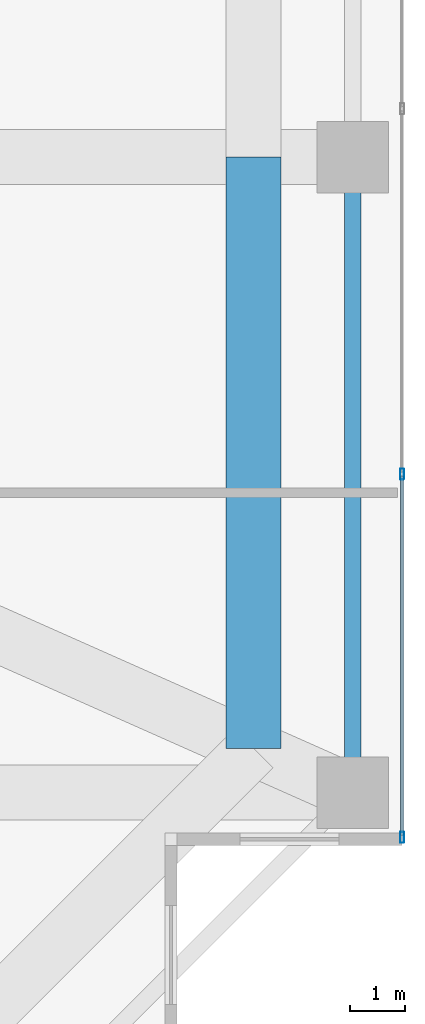
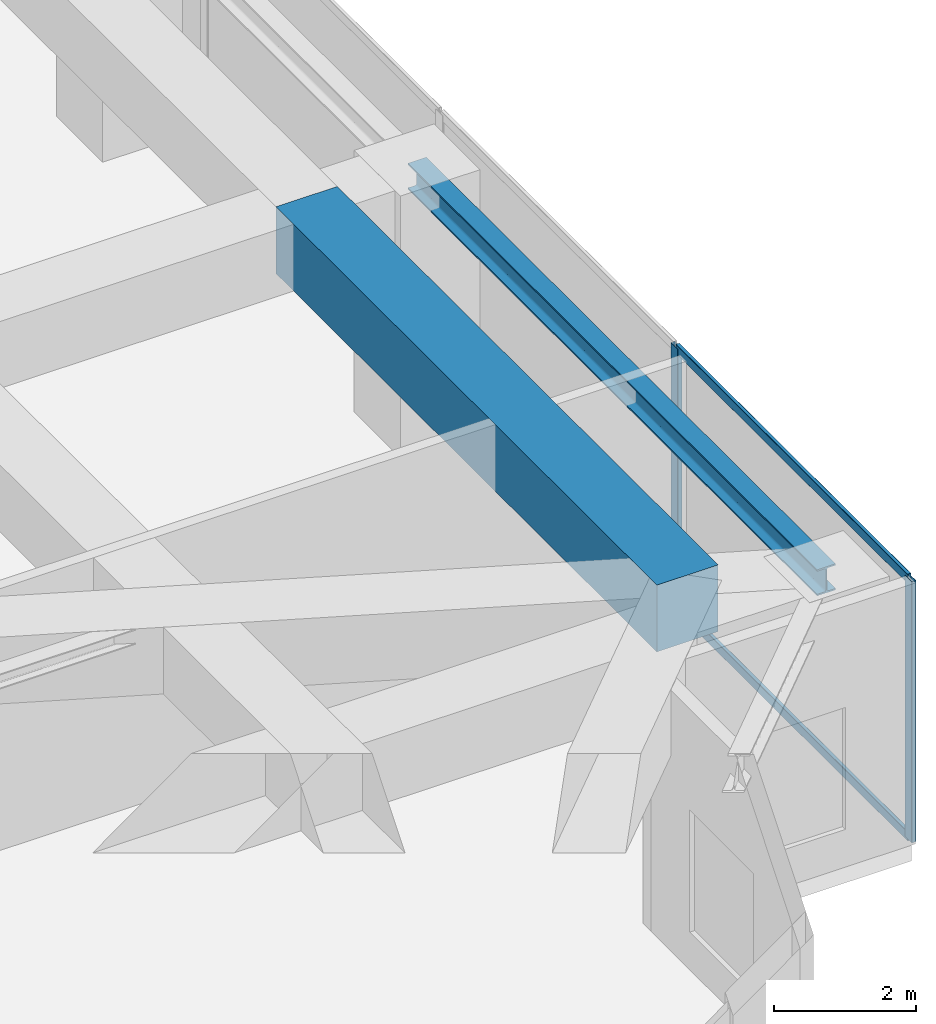
# One storey, part 15 of 35: 4 members, 2 beams, 1 element without a shape of its own.
"""IFC4 building model written with IfcOpenShell, lengths in metres."""

from ifc_helpers import new_model, si_unit, direction, frame, origin, origin_2d, place, context, subcontext, project, spatial, rectangle, hollow_rectangle, i_section, extrude, source, transform, mapped, material, layer, layer_set, material_profile, profile_set, type_object, element, aggregate, save


model = new_model("IFC4")

# Units and contexts
model_context = context("Model", 3, precision=1e-05, world=origin(), true_north=direction((0.0, 1.0)))
body_context = subcontext(model_context, "Body", "Model", "MODEL_VIEW")
ifc_project = project(units=[si_unit("LENGTHUNIT", "METRE"), si_unit("AREAUNIT", "SQUARE_METRE"), si_unit("VOLUMEUNIT", "CUBIC_METRE"), si_unit("PLANEANGLEUNIT", "RADIAN"), si_unit("MASSUNIT", "GRAM", prefix="KILO")], contexts=[model_context])

# Site, building, storey
site_placement = place(None, origin())
site = spatial("IfcSite", under=ifc_project, at=site_placement, CompositionType="ELEMENT")
building_placement = place(site_placement, origin())
building = spatial("IfcBuilding", under=site, at=building_placement, Name="Serunith Strait Residences", CompositionType="ELEMENT")
storey_placement = place(building_placement, frame((0.0, 0.0, 115.199951171875)))
storey = spatial("IfcBuildingStorey", under=building, at=storey_placement, Name="L28", CompositionType="ELEMENT", Elevation=115.199951171875)

# Beams
ifc_material_1 = material(Name="Steel S355J2", Category="steel")
ifc_material_profile_1 = material_profile(ifc_material_1, i_section(OverallWidth=0.300048828125, OverallDepth=0.449951171875, WebThickness=0.013916015625, FlangeThickness=0.02587890625, FilletRadius=0.027099609375, at=origin_2d()), Name="HEB 450")
ifc_profile_set_1 = profile_set([ifc_material_profile_1], Name="Steel S355J2")
beam_type_1 = type_object("IfcBeamType", Name="BM-HEB450", PredefinedType="BEAM", material=ifc_profile_set_1)
shared_shape_1 = source(origin(), body_context, "Body", "SweptSolid", [
    extrude(i_section(OverallWidth=0.300048828125, OverallDepth=0.449951171875, WebThickness=0.013916015625, FlangeThickness=0.02587890625, FilletRadius=0.027099609375, at=origin_2d()), origin(), (0.0, 0.0, 1.0), 11.550048828125),
])
beam_1_placement = place(storey_placement, frame((57.89990234375, 9.449951171875, 4.281982421875), z_axis=(0.0, 1.0, 0.0), x_axis=(-1.0, 0.0, 0.0)))
element("IfcBeam", 1, at=beam_1_placement, inside=storey, type_object=beam_type_1, Name="L28 Perimeter Ring Beam 05", PredefinedType="BEAM", context=body_context, shape_type="MappedRepresentation", body=[
    mapped(shared_shape_1, transform((0.0, 0.0, 0.0), scale=1.0)),
])
ifc_material_2 = material(Name="Concrete C80/95", Category="concrete")
ifc_material_profile_2 = material_profile(ifc_material_2, rectangle(XDim=1.0, YDim=1.14990234375, at=origin_2d()), Name="RC 1000x1150")
ifc_profile_set_2 = profile_set([ifc_material_profile_2], Name="Concrete C80/95")
beam_type_2 = type_object("IfcBeamType", Name="BM-XFER-1000x1150", PredefinedType="BEAM", material=ifc_profile_set_2)
shared_shape_2 = source(origin(), body_context, "Body", "SweptSolid", [
    extrude(rectangle(XDim=1.0, YDim=1.14990234375, at=origin_2d()), origin(), (0.0, 0.0, 1.0), 10.75),
])
beam_2_placement = place(storey_placement, frame((56.10009765625, 10.25, 3.93505859375), z_axis=(0.0, 1.0, 0.0), x_axis=(-1.0, 0.0, 0.0)))
element("IfcBeam", 2, at=beam_2_placement, inside=storey, type_object=beam_type_2, Name="L28 Flare Upper Ring Transfer Girder 05", PredefinedType="BEAM", context=body_context, shape_type="MappedRepresentation", body=[
    mapped(shared_shape_2, transform((0.0, 0.0, 0.0), scale=1.0)),
])

# Curtain wall, members
ifc_material_3 = material(Name="Pale-Champagne Anodised Aluminium", Category="aluminium")
ifc_layer = layer(ifc_material_3, 0.199951171875, Name="Pale-Champagne Anodised Aluminium")
ifc_layer_set = layer_set([ifc_layer], Name="Pale-Champagne Anodised Aluminium")
curtain_wall_type = type_object("IfcCurtainWallType", Name="CW-SYS1", PredefinedType="NOTDEFINED", material=ifc_layer_set)
curtain_wall_placement = place(storey_placement, origin())
curtain_wall = element("IfcCurtainWall", 3, at=curtain_wall_placement, inside=storey, type_object=curtain_wall_type, Name="L28 E Unitised Fritted Curtain Wall", PredefinedType="NOTDEFINED")
ifc_material_profile_3 = material_profile(ifc_material_3, hollow_rectangle(XDim=0.06005859375, YDim=0.159912109375, WallThickness=0.00341796875, InnerFilletRadius=0.00537109375, OuterFilletRadius=0.0087890625, at=origin_2d()), Name="ALU 160x60x3.5")
ifc_profile_set_3 = profile_set([ifc_material_profile_3], Name="Pale-Champagne Anodised Aluminium")
member_type_1 = type_object("IfcMemberType", Name="CW-SYS1-TRAN", PredefinedType="USERDEFINED", material=ifc_profile_set_3)
shared_shape_3 = source(origin(), body_context, "Body", "SweptSolid", [
    extrude(hollow_rectangle(XDim=0.06005859375, YDim=0.159912109375, WallThickness=0.00341796875, InnerFilletRadius=0.00537109375, OuterFilletRadius=0.0087890625, at=origin_2d()), origin(), (0.0, 0.0, 1.0), 6.53515625),
])
member_1_placement = place(storey_placement, frame((58.800048828125, 8.669921875, 0.030029296875), z_axis=(0.0, 1.0, 0.0), x_axis=(-1.0, 0.0, 0.0)))
member_1 = element("IfcMember", 4, at=member_1_placement, type_object=member_type_1, Name="CW-1 transom 1.1", ObjectType="TRANSOM", PredefinedType="USERDEFINED", context=body_context, shape_type="MappedRepresentation", body=[
    mapped(shared_shape_3, transform((0.0, 0.0, 0.0), scale=1.0)),
])
member_2_placement = place(storey_placement, frame((58.800048828125, 8.669921875, 4.465087890625), z_axis=(0.0, 1.0, 0.0), x_axis=(-1.0, 0.0, 0.0)))
member_2 = element("IfcMember", 5, at=member_2_placement, type_object=member_type_1, Name="CW-1 transom 1.2", ObjectType="TRANSOM", PredefinedType="USERDEFINED", context=body_context, shape_type="MappedRepresentation", body=[
    mapped(shared_shape_3, transform((0.0, 0.0, 0.0), scale=1.0)),
])
ifc_material_profile_4 = material_profile(ifc_material_3, hollow_rectangle(XDim=0.070068359375, YDim=0.199951171875, WallThickness=0.00390625, InnerFilletRadius=0.006103515625, OuterFilletRadius=0.010009765625, at=origin_2d()), Name="ALU 200x70x4")
ifc_profile_set_4 = profile_set([ifc_material_profile_4], Name="Pale-Champagne Anodised Aluminium")
member_type_2 = type_object("IfcMemberType", Name="CW-SYS1-MULL", PredefinedType="MULLION", material=ifc_profile_set_4)
shared_shape_4 = source(origin(), body_context, "Body", "SweptSolid", [
    extrude(hollow_rectangle(XDim=0.070068359375, YDim=0.199951171875, WallThickness=0.00390625, InnerFilletRadius=0.006103515625, OuterFilletRadius=0.010009765625, at=origin_2d()), origin(), (0.0, 0.0, 1.0), 4.4951171875),
])
member_3_placement = place(storey_placement, frame((58.800048828125, 8.635009765625, 0.0), z_axis=(0.0, 0.0, 1.0), x_axis=(-1.0, 0.0, 0.0)))
member_3 = element("IfcMember", 6, at=member_3_placement, type_object=member_type_2, Name="CW-1 mullion 1", PredefinedType="MULLION", context=body_context, shape_type="MappedRepresentation", body=[
    mapped(shared_shape_4, transform((0.0, 0.0, 0.0), scale=1.0)),
])
member_4_placement = place(storey_placement, frame((58.800048828125, 15.239990234375, 0.0), z_axis=(0.0, 0.0, 1.0), x_axis=(-1.0, 0.0, 0.0)))
member_4 = element("IfcMember", 7, at=member_4_placement, type_object=member_type_2, Name="CW-1 mullion 2", PredefinedType="MULLION", context=body_context, shape_type="MappedRepresentation", body=[
    mapped(shared_shape_4, transform((0.0, 0.0, 0.0), scale=1.0)),
])
aggregate(curtain_wall, [member_3, member_4, member_1, member_2])

save(model, "model.ifc")
